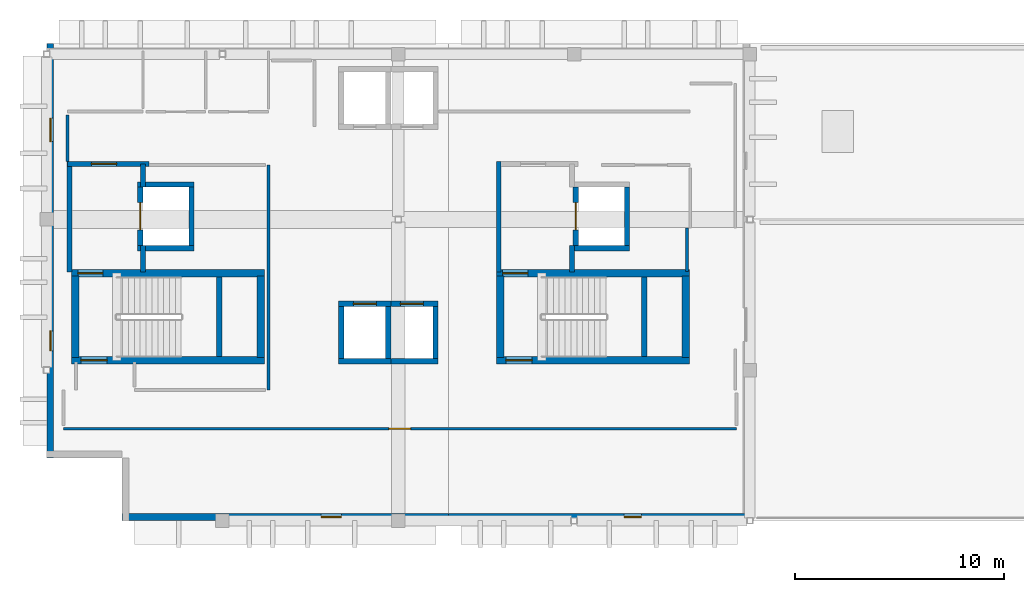
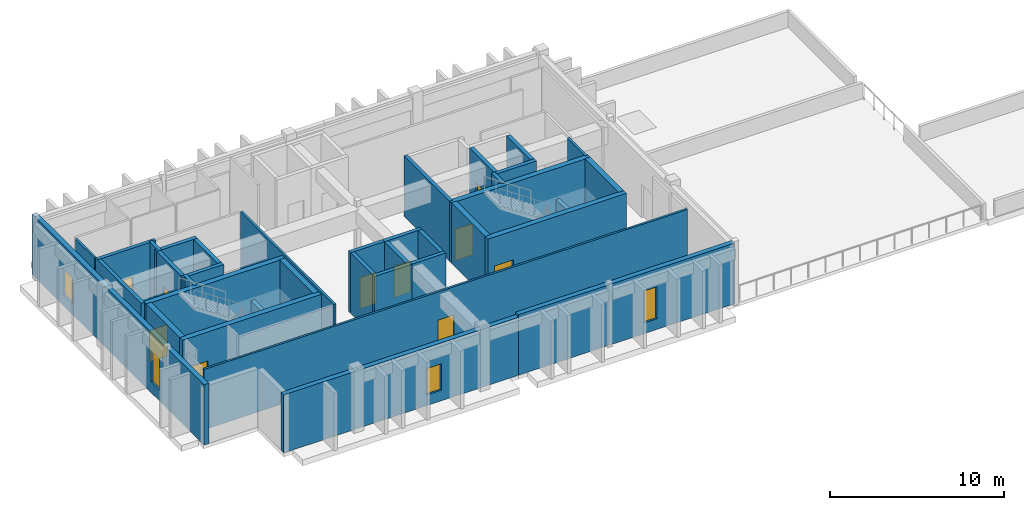
# One storey, part 3 of 7: 37 walls, 10 doors, 4 windows, 14 openings.
"""IFC4 building model written with IfcOpenShell, lengths in metres."""

from ifc_helpers import new_model, si_unit, direction, frame, frame_2d, origin, place, context, subcontext, project, spatial, rectangle, extrude, material, layer, layer_set, type_object, element, fill, save


model = new_model("IFC4")

# Units and contexts
model_context = context("Model", 3, precision=1e-05, world=origin(), true_north=direction((0.0, 1.0)))
body_context = subcontext(model_context, "Body", "Model", "MODEL_VIEW")
ifc_project = project(units=[si_unit("LENGTHUNIT", "METRE"), si_unit("AREAUNIT", "SQUARE_METRE"), si_unit("VOLUMEUNIT", "CUBIC_METRE"), si_unit("PLANEANGLEUNIT", "RADIAN"), si_unit("MASSUNIT", "GRAM", prefix="KILO")], contexts=[model_context])

# Site, building, storey
site_placement = place(None, origin())
site = spatial("IfcSite", under=ifc_project, at=site_placement, CompositionType="ELEMENT")
building_placement = place(site_placement, origin())
building = spatial("IfcBuilding", under=site, at=building_placement, Name="Quendrovan Civic Courthouse", CompositionType="ELEMENT")
storey_placement = place(building_placement, frame((0.0, 0.0, 40.199951171875)))
storey = spatial("IfcBuildingStorey", under=building, at=storey_placement, Name="L09", CompositionType="ELEMENT", Elevation=40.199951171875)

# Wall, opening, door
ifc_material_1 = material(Name="Acoustic gypsum stud partition")
ifc_layer_1 = layer(ifc_material_1, 0.139892578125, Name="Acoustic gypsum stud partition")
ifc_layer_set_1 = layer_set([ifc_layer_1], Name="Acoustic gypsum stud partition")
wall_type_1 = type_object("IfcWallType", Name="WL-CHM-140", PredefinedType="PARTITIONING", material=ifc_layer_set_1)
wall_1_placement = place(storey_placement, frame((34.39990234375, 92.0, 0.0), z_axis=(0.0, 0.0, 1.0), x_axis=(1.0, 0.0, 0.0)))
wall_1 = element("IfcWall", 1, at=wall_1_placement, inside=storey, type_object=wall_type_1, Name="L09 Collegial Judges' Chambers Partition 0903", PredefinedType="PARTITIONING", context=body_context, shape_type="SweptSolid", body=[
    extrude(rectangle(XDim=32.150146484375, YDim=0.139892578125, at=frame_2d((16.0751953125, 0.0))), origin(), (0.0, 0.0, 1.0), 4.239990234375),
])
opening_1_placement = place(wall_1_placement, frame((15.554931640625, 0.0, 0.0)))
opening_1 = element("IfcOpeningElement", 2, at=opening_1_placement, cuts=wall_1, Name="Opening D-L09-128", PredefinedType="OPENING", context=body_context, shape_type="SweptSolid", body=[
    extrude(rectangle(XDim=1.0400390625, YDim=2.260009765625, at=frame_2d((0.52001953125, 1.1298828125))), frame((0.0, 0.080078125, 0.0), z_axis=(0.0, -1.0, 0.0), x_axis=(1.0, 0.0, 0.0)), (0.0, 0.0, 1.0), 0.159912109375),
])
ifc_material_2 = material(Name="Solid Western Red Cedar timber door", Category="wood")
door_type_1 = type_object("IfcDoorType", Name="DR-CHM-1040", OperationType="NOTDEFINED", PredefinedType="DOOR", material=ifc_material_2)
door_1_placement = place(opening_1_placement, origin())
door_1 = element("IfcDoor", 3, at=door_1_placement, inside=storey, type_object=door_type_1, Name="L09 Collegial Judges' Chambers Door D-L09-128", OperationType="SINGLE_SWING_LEFT", OverallHeight=2.260009765625, OverallWidth=1.0400390625, PredefinedType="DOOR", context=body_context, shape_type="SweptSolid", body=[
    extrude(rectangle(XDim=1.0400390625, YDim=2.260009765625, at=frame_2d((0.52001953125, 1.1298828125))), frame((0.0, 0.02490234375, 0.0), z_axis=(0.0, -1.0, 0.0), x_axis=(1.0, 0.0, 0.0)), (0.0, 0.0, 1.0), 0.050048828125),
])
fill(opening_1, door_1)

# Walls
wall_2_placement = place(storey_placement, frame((44.199951171875, 104.60009765625, 0.0), z_axis=(0.0, 0.0, 1.0), x_axis=(0.0, -1.0, 0.0)))
element("IfcWall", 4, at=wall_2_placement, inside=storey, type_object=wall_type_1, Name="L09 Collegial Judges' Chambers Partition 0905", PredefinedType="PARTITIONING", context=body_context, shape_type="SweptSolid", body=[
    extrude(rectangle(XDim=10.75, YDim=0.139892578125, at=frame_2d((5.375, 0.0))), origin(), (0.0, 0.0, 1.0), 4.239990234375),
])
wall_3_placement = place(storey_placement, frame((34.60009765625, 107.0, 0.0), z_axis=(0.0, 0.0, 1.0), x_axis=(0.0, -1.0, 0.0)))
element("IfcWall", 5, at=wall_3_placement, inside=storey, type_object=wall_type_1, Name="L09 Collegial Judges' Chambers Partition 0918", PredefinedType="PARTITIONING", context=body_context, shape_type="SweptSolid", body=[
    extrude(rectangle(XDim=2.22998046875, YDim=0.139892578125, at=frame_2d((1.114990234375, 0.0))), origin(), (0.0, 0.0, 1.0), 4.239990234375),
])
wall_4_placement = place(storey_placement, frame((64.199951171875, 101.60009765625, 0.0), z_axis=(0.0, 0.0, 1.0), x_axis=(0.0, -1.0, 0.0)))
element("IfcWall", 6, at=wall_4_placement, inside=storey, type_object=wall_type_1, Name="L09 Judicial Conference Room Partition 0921", PredefinedType="PARTITIONING", context=body_context, shape_type="SweptSolid", body=[
    extrude(rectangle(XDim=2.080078125, YDim=0.139892578125, at=frame_2d((1.0400390625, 0.0))), origin(), (0.0, 0.0, 1.0), 4.239990234375),
])

# Wall, opening, door
ifc_material_3 = material(Name="Concrete C45/55", Category="concrete")
ifc_layer_2 = layer(ifc_material_3, 0.35009765625, Name="Concrete C45/55")
ifc_layer_set_2 = layer_set([ifc_layer_2], Name="Concrete C45/55")
wall_type_2 = type_object("IfcWallType", Name="WL-CORE-350", PredefinedType="SHEAR", material=ifc_layer_set_2)
wall_5_placement = place(storey_placement, frame((34.7900390625, 95.264892578125, 0.0), z_axis=(0.0, 0.0, 1.0), x_axis=(1.0, 0.0, 0.0)))
wall_5 = element("IfcWall", 7, at=wall_5_placement, inside=storey, type_object=wall_type_2, Name="L09 Core Shear Wall ST1-S", PredefinedType="SHEAR", context=body_context, shape_type="SweptSolid", body=[
    extrude(rectangle(XDim=9.219970703125, YDim=0.35009765625, at=frame_2d((4.60986328125, 0.0))), origin(), (0.0, 0.0, 1.0), 4.239990234375),
])
opening_2_placement = place(wall_5_placement, frame((0.449951171875, 0.0, 0.0)))
opening_2 = element("IfcOpeningElement", 8, at=opening_2_placement, cuts=wall_5, Name="Opening DS-ST1-L09", PredefinedType="OPENING", context=body_context, shape_type="SweptSolid", body=[
    extrude(rectangle(XDim=1.25, YDim=2.199951171875, at=frame_2d((0.625, 1.10009765625))), frame((0.0, 0.18505859375, 0.0), z_axis=(0.0, -1.0, 0.0), x_axis=(1.0, 0.0, 0.0)), (0.0, 0.0, 1.0), 0.3701171875),
])
ifc_material_4 = material(Name="Painted galvanized hollow-metal steel", Category="steel")
door_type_2 = type_object("IfcDoorType", Name="DR-STAIR-1250", OperationType="NOTDEFINED", PredefinedType="DOOR", material=ifc_material_4)
door_2_placement = place(opening_2_placement, origin())
door_2 = element("IfcDoor", 9, at=door_2_placement, inside=storey, type_object=door_type_2, Name="L09 Exit Stair ST1 Fire Door", OperationType="SINGLE_SWING_LEFT", OverallHeight=2.199951171875, OverallWidth=1.25, PredefinedType="DOOR", context=body_context, shape_type="SweptSolid", body=[
    extrude(rectangle(XDim=1.25, YDim=2.199951171875, at=frame_2d((0.625, 1.10009765625))), frame((0.0, 0.02490234375, 0.0), z_axis=(0.0, -1.0, 0.0), x_axis=(1.0, 0.0, 0.0)), (0.0, 0.0, 1.0), 0.050048828125),
])
fill(opening_2, door_2)

wall_6_placement = place(storey_placement, frame((44.010009765625, 99.43505859375, 0.0), z_axis=(0.0, 0.0, 1.0), x_axis=(-1.0, 0.0, 0.0)))
wall_6 = element("IfcWall", 10, at=wall_6_placement, inside=storey, type_object=wall_type_2, Name="L09 Core Shear Wall ST1-N", PredefinedType="SHEAR", context=body_context, shape_type="SweptSolid", body=[
    extrude(rectangle(XDim=9.219970703125, YDim=0.35009765625, at=frame_2d((4.60986328125, 0.0))), origin(), (0.0, 0.0, 1.0), 4.239990234375),
])
opening_3_placement = place(wall_6_placement, frame((7.719970703125, 0.0, 0.0)))
opening_3 = element("IfcOpeningElement", 11, at=opening_3_placement, cuts=wall_6, Name="Opening DFF-ST1-L09", PredefinedType="OPENING", context=body_context, shape_type="SweptSolid", body=[
    extrude(rectangle(XDim=1.199951171875, YDim=2.199951171875, at=frame_2d((0.60009765625, 1.10009765625))), frame((0.0, 0.18505859375, 0.0), z_axis=(0.0, -1.0, 0.0), x_axis=(1.0, 0.0, 0.0)), (0.0, 0.0, 1.0), 0.3701171875),
])
door_type_3 = type_object("IfcDoorType", Name="DR-FFLOB-1200", OperationType="NOTDEFINED", PredefinedType="DOOR", material=ifc_material_4)
door_3_placement = place(opening_3_placement, origin())
door_3 = element("IfcDoor", 12, at=door_3_placement, inside=storey, type_object=door_type_3, Name="L09 Firefighting Lobby FL1 Direct Stair ST1 Door", OperationType="SINGLE_SWING_RIGHT", OverallHeight=2.199951171875, OverallWidth=1.199951171875, PredefinedType="DOOR", context=body_context, shape_type="SweptSolid", body=[
    extrude(rectangle(XDim=1.199951171875, YDim=2.199951171875, at=frame_2d((0.60009765625, 1.10009765625))), frame((0.0, 0.02490234375, 0.0), z_axis=(0.0, -1.0, 0.0), x_axis=(1.0, 0.0, 0.0)), (0.0, 0.0, 1.0), 0.050048828125),
])
fill(opening_3, door_3)

# Walls
for number, where, z_axis, x_axis, name in (
    (13, (34.965087890625, 95.39990234375, 0.0), (0.0, 0.0, 1.0), (0.0, 1.0, 0.0), "L09 Core Shear Wall ST1-W"),
    (14, (43.8349609375, 99.300048828125, 0.0), (0.0, 0.0, 1.0), (0.0, -1.0, 0.0), "L09 Core Shear Wall ST1-E"),
):
    element("IfcWall", number, at=place(storey_placement, frame(where, z_axis=z_axis, x_axis=x_axis)), inside=storey, type_object=wall_type_2, Name=name, PredefinedType="SHEAR", context=body_context, shape_type="SweptSolid", body=[
        extrude(rectangle(XDim=3.900146484375, YDim=0.35009765625, at=frame_2d((1.9501953125, 0.0))), origin(), (0.0, 0.0, 1.0), 4.239990234375),
    ])

# Wall, opening, door
wall_7_placement = place(storey_placement, frame((55.090087890625, 95.264892578125, 0.0), z_axis=(0.0, 0.0, 1.0), x_axis=(1.0, 0.0, 0.0)))
wall_7 = element("IfcWall", 15, at=wall_7_placement, inside=storey, type_object=wall_type_2, Name="L09 Core Shear Wall ST2-S", PredefinedType="SHEAR", context=body_context, shape_type="SweptSolid", body=[
    extrude(rectangle(XDim=9.219970703125, YDim=0.35009765625, at=frame_2d((4.60986328125, 0.0))), origin(), (0.0, 0.0, 1.0), 4.239990234375),
])
opening_4_placement = place(wall_7_placement, frame((0.449951171875, 0.0, 0.0)))
opening_4 = element("IfcOpeningElement", 16, at=opening_4_placement, cuts=wall_7, Name="Opening DS-ST2-L09", PredefinedType="OPENING", context=body_context, shape_type="SweptSolid", body=[
    extrude(rectangle(XDim=1.25, YDim=2.199951171875, at=frame_2d((0.625, 1.10009765625))), frame((0.0, 0.18505859375, 0.0), z_axis=(0.0, -1.0, 0.0), x_axis=(1.0, 0.0, 0.0)), (0.0, 0.0, 1.0), 0.3701171875),
])
door_4_placement = place(opening_4_placement, origin())
door_4 = element("IfcDoor", 17, at=door_4_placement, inside=storey, type_object=door_type_2, Name="L09 Exit Stair ST2 Fire Door", OperationType="SINGLE_SWING_RIGHT", OverallHeight=2.199951171875, OverallWidth=1.25, PredefinedType="DOOR", context=body_context, shape_type="SweptSolid", body=[
    extrude(rectangle(XDim=1.25, YDim=2.199951171875, at=frame_2d((0.625, 1.10009765625))), frame((0.0, 0.02490234375, 0.0), z_axis=(0.0, -1.0, 0.0), x_axis=(1.0, 0.0, 0.0)), (0.0, 0.0, 1.0), 0.050048828125),
])
fill(opening_4, door_4)

wall_8_placement = place(storey_placement, frame((64.31005859375, 99.43505859375, 0.0), z_axis=(0.0, 0.0, 1.0), x_axis=(-1.0, 0.0, 0.0)))
wall_8 = element("IfcWall", 18, at=wall_8_placement, inside=storey, type_object=wall_type_2, Name="L09 Core Shear Wall ST2-N", PredefinedType="SHEAR", context=body_context, shape_type="SweptSolid", body=[
    extrude(rectangle(XDim=9.219970703125, YDim=0.35009765625, at=frame_2d((4.60986328125, 0.0))), origin(), (0.0, 0.0, 1.0), 4.239990234375),
])
opening_5_placement = place(wall_8_placement, frame((7.719970703125, 0.0, 0.0)))
opening_5 = element("IfcOpeningElement", 19, at=opening_5_placement, cuts=wall_8, Name="Opening DFF-ST2-L09", PredefinedType="OPENING", context=body_context, shape_type="SweptSolid", body=[
    extrude(rectangle(XDim=1.199951171875, YDim=2.199951171875, at=frame_2d((0.60009765625, 1.10009765625))), frame((0.0, 0.18505859375, 0.0), z_axis=(0.0, -1.0, 0.0), x_axis=(1.0, 0.0, 0.0)), (0.0, 0.0, 1.0), 0.3701171875),
])
door_5_placement = place(opening_5_placement, origin())
door_5 = element("IfcDoor", 20, at=door_5_placement, inside=storey, type_object=door_type_3, Name="L09 Firefighting Lobby FL2 Direct Stair ST2 Door", OperationType="SINGLE_SWING_RIGHT", OverallHeight=2.199951171875, OverallWidth=1.199951171875, PredefinedType="DOOR", context=body_context, shape_type="SweptSolid", body=[
    extrude(rectangle(XDim=1.199951171875, YDim=2.199951171875, at=frame_2d((0.60009765625, 1.10009765625))), frame((0.0, 0.02490234375, 0.0), z_axis=(0.0, -1.0, 0.0), x_axis=(1.0, 0.0, 0.0)), (0.0, 0.0, 1.0), 0.050048828125),
])
fill(opening_5, door_5)

# Walls
for number, where, z_axis, x_axis, name in (
    (21, (55.264892578125, 95.39990234375, 0.0), (0.0, 0.0, 1.0), (0.0, 1.0, 0.0), "L09 Core Shear Wall ST2-W"),
    (22, (64.135009765625, 99.300048828125, 0.0), (0.0, 0.0, 1.0), (0.0, -1.0, 0.0), "L09 Core Shear Wall ST2-E"),
):
    element("IfcWall", number, at=place(storey_placement, frame(where, z_axis=z_axis, x_axis=x_axis)), inside=storey, type_object=wall_type_2, Name=name, PredefinedType="SHEAR", context=body_context, shape_type="SweptSolid", body=[
        extrude(rectangle(XDim=3.900146484375, YDim=0.35009765625, at=frame_2d((1.9501953125, 0.0))), origin(), (0.0, 0.0, 1.0), 4.239990234375),
    ])

# Wall, opening, window
ifc_material_5 = material(Name="Precast concrete C45/55", Category="concrete")
ifc_layer_3 = layer(ifc_material_5, 0.320068359375, Name="Precast concrete C45/55")
ifc_layer_set_3 = layer_set([ifc_layer_3], Name="Precast concrete C45/55")
wall_type_3 = type_object("IfcWallType", Name="WL-EXT-PC320", PredefinedType="SOLIDWALL", material=ifc_layer_set_3)
wall_9_placement = place(storey_placement, frame((67.199951171875, 87.780029296875, 0.0), z_axis=(0.0, 0.0, 1.0), x_axis=(-1.0, 0.0, 0.0)))
wall_9 = element("IfcWall", 23, at=wall_9_placement, inside=storey, type_object=wall_type_3, Name="L09 Exterior Precast Concrete Wall 525", PredefinedType="SOLIDWALL", context=body_context, shape_type="SweptSolid", body=[
    extrude(rectangle(XDim=14.39990234375, YDim=0.320068359375, at=frame_2d((7.199951171875, 0.0))), origin(), (0.0, 0.0, 1.0), 4.260009765625),
])
opening_6_placement = place(wall_9_placement, frame((5.18994140625, 0.0, 0.75)))
opening_6 = element("IfcOpeningElement", 24, at=opening_6_placement, cuts=wall_9, Name="Opening W07", PredefinedType="OPENING", context=body_context, shape_type="SweptSolid", body=[
    extrude(rectangle(XDim=0.820068359375, YDim=2.25, at=frame_2d((0.41015625, 1.125))), frame((0.0, 0.169921875, 0.0), z_axis=(0.0, -1.0, 0.0), x_axis=(1.0, 0.0, 0.0)), (0.0, 0.0, 1.0), 0.340087890625),
])
ifc_material_6 = material(Name="Laminated hurricane-impact low-E glass", Category="glass")
window_type_1 = type_object("IfcWindowType", Name="WIN-SLT-07", PartitioningType="SINGLE_PANEL", PredefinedType="WINDOW", material=ifc_material_6)
window_1_placement = place(opening_6_placement, origin())
window_1 = element("IfcWindow", 25, at=window_1_placement, inside=storey, type_object=window_type_1, Name="L09 Courtroom Shaded Slot Window 0061", OverallHeight=2.25, OverallWidth=0.820068359375, PartitioningType="SINGLE_PANEL", PredefinedType="WINDOW", context=body_context, shape_type="SweptSolid", body=[
    extrude(rectangle(XDim=0.820068359375, YDim=2.25, at=frame_2d((0.41015625, 1.125))), frame((0.0, 0.030029296875, 0.0), z_axis=(0.0, -1.0, 0.0), x_axis=(1.0, 0.0, 0.0)), (0.0, 0.0, 1.0), 0.06005859375),
])
fill(opening_6, window_1)

wall_10_placement = place(storey_placement, frame((52.800048828125, 87.780029296875, 0.0), z_axis=(0.0, 0.0, 1.0), x_axis=(-1.0, 0.0, 0.0)))
wall_10 = element("IfcWall", 26, at=wall_10_placement, inside=storey, type_object=wall_type_3, Name="L09 Exterior Precast Concrete Wall 526", PredefinedType="SOLIDWALL", context=body_context, shape_type="SweptSolid", body=[
    extrude(rectangle(XDim=15.60009765625, YDim=0.320068359375, at=frame_2d((7.800048828125, 0.0))), origin(), (0.0, 0.0, 1.0), 4.080078125),
])
opening_7_placement = place(wall_10_placement, frame((5.1201171875, 0.0, 0.75)))
opening_7 = element("IfcOpeningElement", 27, at=opening_7_placement, cuts=wall_10, Name="Opening W11", PredefinedType="OPENING", context=body_context, shape_type="SweptSolid", body=[
    extrude(rectangle(XDim=0.9599609375, YDim=1.85009765625, at=frame_2d((0.47998046875, 0.925048828125))), frame((0.0, 0.169921875, 0.0), z_axis=(0.0, -1.0, 0.0), x_axis=(1.0, 0.0, 0.0)), (0.0, 0.0, 1.0), 0.340087890625),
])
window_type_2 = type_object("IfcWindowType", Name="WIN-SLT-11", PartitioningType="SINGLE_PANEL", PredefinedType="WINDOW", material=ifc_material_6)
window_2_placement = place(opening_7_placement, origin())
window_2 = element("IfcWindow", 28, at=window_2_placement, inside=storey, type_object=window_type_2, Name="L09 Courtroom Shaded Slot Window 0062", OverallHeight=1.85009765625, OverallWidth=0.9599609375, PartitioningType="SINGLE_PANEL", PredefinedType="WINDOW", context=body_context, shape_type="SweptSolid", body=[
    extrude(rectangle(XDim=0.9599609375, YDim=1.85009765625, at=frame_2d((0.47998046875, 0.925048828125))), frame((0.0, 0.030029296875, 0.0), z_axis=(0.0, -1.0, 0.0), x_axis=(1.0, 0.0, 0.0)), (0.0, 0.0, 1.0), 0.06005859375),
])
fill(opening_7, window_2)

# Wall, openings, windows
wall_11_placement = place(storey_placement, frame((33.780029296875, 90.60009765625, 0.0), z_axis=(0.0, 0.0, 1.0), x_axis=(0.0, 1.0, 0.0)))
wall_11 = element("IfcWall", 29, at=wall_11_placement, inside=storey, type_object=wall_type_3, Name="L09 Exterior Precast Concrete Wall 529", PredefinedType="SOLIDWALL", context=body_context, shape_type="SweptSolid", body=[
    extrude(rectangle(XDim=19.7998046875, YDim=0.320068359375, at=frame_2d((9.89990234375, 0.0))), origin(), (0.0, 0.0, 1.0), 4.239990234375),
])
opening_8_placement = place(wall_11_placement, frame((5.1201171875, 0.0, 0.75)))
opening_8 = element("IfcOpeningElement", 30, at=opening_8_placement, cuts=wall_11, Name="Opening W12", PredefinedType="OPENING", context=body_context, shape_type="SweptSolid", body=[
    extrude(rectangle(XDim=0.9599609375, YDim=2.25, at=frame_2d((0.47998046875, 1.125))), frame((0.0, 0.169921875, 0.0), z_axis=(0.0, -1.0, 0.0), x_axis=(1.0, 0.0, 0.0)), (0.0, 0.0, 1.0), 0.340087890625),
])
opening_9_placement = place(wall_11_placement, frame((15.1201171875, 0.0, 0.75)))
opening_9 = element("IfcOpeningElement", 31, at=opening_9_placement, cuts=wall_11, Name="Opening W16", PredefinedType="OPENING", context=body_context, shape_type="SweptSolid", body=[
    extrude(rectangle(XDim=1.1201171875, YDim=1.85009765625, at=frame_2d((0.56005859375, 0.925048828125))), frame((0.0, 0.169921875, 0.0), z_axis=(0.0, -1.0, 0.0), x_axis=(1.0, 0.0, 0.0)), (0.0, 0.0, 1.0), 0.340087890625),
])
window_type_3 = type_object("IfcWindowType", Name="WIN-SLT-12", PartitioningType="SINGLE_PANEL", PredefinedType="WINDOW", material=ifc_material_6)
window_3_placement = place(opening_8_placement, origin())
window_3 = element("IfcWindow", 32, at=window_3_placement, inside=storey, type_object=window_type_3, Name="L09 Courtroom Shaded Slot Window 0063", OverallHeight=2.25, OverallWidth=0.9599609375, PartitioningType="SINGLE_PANEL", PredefinedType="WINDOW", context=body_context, shape_type="SweptSolid", body=[
    extrude(rectangle(XDim=0.9599609375, YDim=2.25, at=frame_2d((0.47998046875, 1.125))), frame((0.0, 0.030029296875, 0.0), z_axis=(0.0, -1.0, 0.0), x_axis=(1.0, 0.0, 0.0)), (0.0, 0.0, 1.0), 0.06005859375),
])
fill(opening_8, window_3)
window_type_4 = type_object("IfcWindowType", Name="WIN-SLT-16", PartitioningType="SINGLE_PANEL", PredefinedType="WINDOW", material=ifc_material_6)
window_4_placement = place(opening_9_placement, origin())
window_4 = element("IfcWindow", 33, at=window_4_placement, inside=storey, type_object=window_type_4, Name="L09 Courtroom Shaded Slot Window 0064", OverallHeight=1.85009765625, OverallWidth=1.1201171875, PartitioningType="SINGLE_PANEL", PredefinedType="WINDOW", context=body_context, shape_type="SweptSolid", body=[
    extrude(rectangle(XDim=1.1201171875, YDim=1.85009765625, at=frame_2d((0.56005859375, 0.925048828125))), frame((0.0, 0.030029296875, 0.0), z_axis=(0.0, -1.0, 0.0), x_axis=(1.0, 0.0, 0.0)), (0.0, 0.0, 1.0), 0.06005859375),
])
fill(opening_9, window_4)

# Wall, opening, door
ifc_material_7 = material(Name="Concrete C40/50", Category="concrete")
ifc_layer_4 = layer(ifc_material_7, 0.22998046875, Name="Concrete C40/50")
ifc_layer_set_4 = layer_set([ifc_layer_4], Name="Concrete C40/50")
wall_type_4 = type_object("IfcWallType", Name="WL-FFLOB-230", PredefinedType="PARTITIONING", material=ifc_layer_set_4)
wall_12_placement = place(storey_placement, frame((34.590087890625, 104.64990234375, 0.0), z_axis=(0.0, 0.0, 1.0), x_axis=(1.0, 0.0, 0.0)))
wall_12 = element("IfcWall", 34, at=wall_12_placement, inside=storey, type_object=wall_type_4, Name="L09 Firefighting Lift Lobby FL1 Wall N", PredefinedType="PARTITIONING", context=body_context, shape_type="SweptSolid", body=[
    extrude(rectangle(XDim=3.889892578125, YDim=0.22998046875, at=frame_2d((1.94482421875, 0.0))), origin(), (0.0, 0.0, 1.0), 4.239990234375),
])
opening_10_placement = place(wall_12_placement, frame((1.14990234375, 0.0, 0.0)))
opening_10 = element("IfcOpeningElement", 35, at=opening_10_placement, cuts=wall_12, Name="Opening DF-FL1-L09N", PredefinedType="OPENING", context=body_context, shape_type="SweptSolid", body=[
    extrude(rectangle(XDim=1.199951171875, YDim=2.199951171875, at=frame_2d((0.60009765625, 1.10009765625))), frame((0.0, 0.125, 0.0), z_axis=(0.0, -1.0, 0.0), x_axis=(1.0, 0.0, 0.0)), (0.0, 0.0, 1.0), 0.25),
])
door_6_placement = place(opening_10_placement, origin())
door_6 = element("IfcDoor", 36, at=door_6_placement, inside=storey, type_object=door_type_3, Name="L09 Firefighting Lobby FL1 Fire Door N", OperationType="SINGLE_SWING_LEFT", OverallHeight=2.199951171875, OverallWidth=1.199951171875, PredefinedType="DOOR", context=body_context, shape_type="SweptSolid", body=[
    extrude(rectangle(XDim=1.199951171875, YDim=2.199951171875, at=frame_2d((0.60009765625, 1.10009765625))), frame((0.0, 0.02490234375, 0.0), z_axis=(0.0, -1.0, 0.0), x_axis=(1.0, 0.0, 0.0)), (0.0, 0.0, 1.0), 0.050048828125),
])
fill(opening_10, door_6)

# Walls
wall_13_placement = place(storey_placement, frame((34.699951171875, 99.5, 0.0), z_axis=(0.0, 0.0, 1.0), x_axis=(0.0, 1.0, 0.0)))
element("IfcWall", 37, at=wall_13_placement, inside=storey, type_object=wall_type_4, Name="L09 Firefighting Lift Lobby FL1 Wall W", PredefinedType="PARTITIONING", context=body_context, shape_type="SweptSolid", body=[
    extrude(rectangle(XDim=5.260009765625, YDim=0.22998046875, at=frame_2d((2.6298828125, 0.0))), origin(), (0.0, 0.0, 1.0), 4.239990234375),
])
wall_14_placement = place(storey_placement, frame((38.199951171875, 104.64990234375, 0.0), z_axis=(0.0, 0.0, 1.0), x_axis=(0.0, -1.0, 0.0)))
element("IfcWall", 38, at=wall_14_placement, inside=storey, type_object=wall_type_4, Name="L09 Firefighting Lift Lobby FL1 Wall EN", PredefinedType="PARTITIONING", context=body_context, shape_type="SweptSolid", body=[
    extrude(rectangle(XDim=1.099853515625, YDim=0.22998046875, at=frame_2d((0.5498046875, 0.0))), origin(), (0.0, 0.0, 1.0), 4.239990234375),
])
wall_15_placement = place(storey_placement, frame((38.199951171875, 100.75, 0.0), z_axis=(0.0, 0.0, 1.0), x_axis=(0.0, -1.0, 0.0)))
element("IfcWall", 39, at=wall_15_placement, inside=storey, type_object=wall_type_4, Name="L09 Firefighting Lift Lobby FL1 Wall ES", PredefinedType="PARTITIONING", context=body_context, shape_type="SweptSolid", body=[
    extrude(rectangle(XDim=1.25, YDim=0.22998046875, at=frame_2d((0.625, 0.0))), origin(), (0.0, 0.0, 1.0), 4.239990234375),
])
wall_16_placement = place(storey_placement, frame((55.199951171875, 99.5, 0.0), z_axis=(0.0, 0.0, 1.0), x_axis=(0.0, 1.0, 0.0)))
element("IfcWall", 40, at=wall_16_placement, inside=storey, type_object=wall_type_4, Name="L09 Firefighting Lift Lobby FL2 Wall W", PredefinedType="PARTITIONING", context=body_context, shape_type="SweptSolid", body=[
    extrude(rectangle(XDim=5.260009765625, YDim=0.22998046875, at=frame_2d((2.6298828125, 0.0))), origin(), (0.0, 0.0, 1.0), 4.239990234375),
])
wall_17_placement = place(storey_placement, frame((58.699951171875, 100.75, 0.0), z_axis=(0.0, 0.0, 1.0), x_axis=(0.0, -1.0, 0.0)))
element("IfcWall", 41, at=wall_17_placement, inside=storey, type_object=wall_type_4, Name="L09 Firefighting Lift Lobby FL2 Wall ES", PredefinedType="PARTITIONING", context=body_context, shape_type="SweptSolid", body=[
    extrude(rectangle(XDim=1.25, YDim=0.22998046875, at=frame_2d((0.625, 0.0))), origin(), (0.0, 0.0, 1.0), 4.239990234375),
])
ifc_layer_5 = layer(ifc_material_3, 0.25, Name="Concrete C45/55")
ifc_layer_set_5 = layer_set([ifc_layer_5], Name="Concrete C45/55")
wall_type_5 = type_object("IfcWallType", Name="WL-SHAFT-250", PredefinedType="SHEAR", material=ifc_layer_set_5)
for number, where, z_axis, x_axis, name in (
    (42, (41.85009765625, 95.449951171875, 0.0), (0.0, 0.0, 1.0), (0.0, 1.0, 0.0), "L09 Stair ST1 Mid-Landing Bearing Wall"),
    (43, (62.14990234375, 95.449951171875, 0.0), (0.0, 0.0, 1.0), (0.0, 1.0, 0.0), "L09 Stair ST2 Mid-Landing Bearing Wall"),
):
    element("IfcWall", number, at=place(storey_placement, frame(where, z_axis=z_axis, x_axis=x_axis)), inside=storey, type_object=wall_type_5, Name=name, PredefinedType="SHEAR", context=body_context, shape_type="SweptSolid", body=[
        extrude(rectangle(XDim=3.800048828125, YDim=0.25, at=frame_2d((1.89990234375, 0.0))), origin(), (0.0, 0.0, 1.0), 2.070068359375),
    ])
wall_18_placement = place(storey_placement, frame((47.550048828125, 95.22509765625, 0.0), z_axis=(0.0, 0.0, 1.0), x_axis=(1.0, 0.0, 0.0)))
element("IfcWall", 44, at=wall_18_placement, inside=storey, type_object=wall_type_5, Name="L09 Lift Hoistway Wall PL3 -Y", PredefinedType="SHEAR", context=body_context, shape_type="SweptSolid", body=[
    extrude(rectangle(XDim=2.5, YDim=0.25, at=frame_2d((1.25, 0.0))), origin(), (0.0, 0.0, 1.0), 4.239990234375),
])

# Wall, opening, door
wall_19_placement = place(storey_placement, frame((50.050048828125, 97.97509765625, 0.0), z_axis=(0.0, 0.0, 1.0), x_axis=(-1.0, 0.0, 0.0)))
wall_19 = element("IfcWall", 45, at=wall_19_placement, inside=storey, type_object=wall_type_5, Name="L09 Lift Hoistway Wall PL3 +Y", PredefinedType="SHEAR", context=body_context, shape_type="SweptSolid", body=[
    extrude(rectangle(XDim=2.5, YDim=0.25, at=frame_2d((1.25, 0.0))), origin(), (0.0, 0.0, 1.0), 4.239990234375),
])
opening_11_placement = place(wall_19_placement, frame((0.699951171875, 0.0, 0.0)))
opening_11 = element("IfcOpeningElement", 46, at=opening_11_placement, cuts=wall_19, Name="Opening LD-PL3-L09", PredefinedType="OPENING", context=body_context, shape_type="SweptSolid", body=[
    extrude(rectangle(XDim=1.10009765625, YDim=2.199951171875, at=frame_2d((0.550048828125, 1.10009765625))), frame((0.0, 0.135009765625, 0.0), z_axis=(0.0, -1.0, 0.0), x_axis=(1.0, 0.0, 0.0)), (0.0, 0.0, 1.0), 0.27001953125),
])
ifc_material_8 = material(Name="Brushed bronze-anodised stainless steel", Category="steel")
door_type_4 = type_object("IfcDoorType", Name="DR-LIFT-LD-PL", OperationType="NOTDEFINED", PredefinedType="DOOR", material=ifc_material_8)
door_7_placement = place(opening_11_placement, origin())
door_7 = element("IfcDoor", 47, at=door_7_placement, inside=storey, type_object=door_type_4, Name="L09 Lift PL3 Sliding Landing Door", OperationType="SLIDING_TO_RIGHT", OverallHeight=2.199951171875, OverallWidth=1.10009765625, PredefinedType="DOOR", context=body_context, shape_type="SweptSolid", body=[
    extrude(rectangle(XDim=1.10009765625, YDim=2.199951171875, at=frame_2d((0.550048828125, 1.10009765625))), frame((0.0, 0.02490234375, 0.0), z_axis=(0.0, -1.0, 0.0), x_axis=(1.0, 0.0, 0.0)), (0.0, 0.0, 1.0), 0.050048828125),
])
fill(opening_11, door_7)

# Walls
for number, where, z_axis, x_axis, name in (
    (48, (47.675048828125, 95.35009765625, 0.0), (0.0, 0.0, 1.0), (0.0, 1.0, 0.0), "L09 Lift Hoistway Wall PL3 -X"),
    (49, (49.925048828125, 97.85009765625, 0.0), (0.0, 0.0, 1.0), (0.0, -1.0, 0.0), "L09 Lift Hoistway Wall PL3 +X"),
    (50, (49.800048828125, 95.22509765625, 0.0), (0.0, 0.0, 1.0), (1.0, 0.0, 0.0), "L09 Lift Hoistway Wall PL4 -Y"),
):
    element("IfcWall", number, at=place(storey_placement, frame(where, z_axis=z_axis, x_axis=x_axis)), inside=storey, type_object=wall_type_5, Name=name, PredefinedType="SHEAR", context=body_context, shape_type="SweptSolid", body=[
        extrude(rectangle(XDim=2.5, YDim=0.25, at=frame_2d((1.25, 0.0))), origin(), (0.0, 0.0, 1.0), 4.239990234375),
    ])

# Wall, opening, door
wall_20_placement = place(storey_placement, frame((52.300048828125, 97.97509765625, 0.0), z_axis=(0.0, 0.0, 1.0), x_axis=(-1.0, 0.0, 0.0)))
wall_20 = element("IfcWall", 51, at=wall_20_placement, inside=storey, type_object=wall_type_5, Name="L09 Lift Hoistway Wall PL4 +Y", PredefinedType="SHEAR", context=body_context, shape_type="SweptSolid", body=[
    extrude(rectangle(XDim=2.5, YDim=0.25, at=frame_2d((1.25, 0.0))), origin(), (0.0, 0.0, 1.0), 4.239990234375),
])
opening_12_placement = place(wall_20_placement, frame((0.699951171875, 0.0, 0.0)))
opening_12 = element("IfcOpeningElement", 52, at=opening_12_placement, cuts=wall_20, Name="Opening LD-PL4-L09", PredefinedType="OPENING", context=body_context, shape_type="SweptSolid", body=[
    extrude(rectangle(XDim=1.10009765625, YDim=2.199951171875, at=frame_2d((0.550048828125, 1.10009765625))), frame((0.0, 0.135009765625, 0.0), z_axis=(0.0, -1.0, 0.0), x_axis=(1.0, 0.0, 0.0)), (0.0, 0.0, 1.0), 0.27001953125),
])
door_8_placement = place(opening_12_placement, origin())
door_8 = element("IfcDoor", 53, at=door_8_placement, inside=storey, type_object=door_type_4, Name="L09 Lift PL4 Sliding Landing Door", OperationType="SLIDING_TO_RIGHT", OverallHeight=2.199951171875, OverallWidth=1.10009765625, PredefinedType="DOOR", context=body_context, shape_type="SweptSolid", body=[
    extrude(rectangle(XDim=1.10009765625, YDim=2.199951171875, at=frame_2d((0.550048828125, 1.10009765625))), frame((0.0, 0.02490234375, 0.0), z_axis=(0.0, -1.0, 0.0), x_axis=(1.0, 0.0, 0.0)), (0.0, 0.0, 1.0), 0.050048828125),
])
fill(opening_12, door_8)

# Walls
wall_21_placement = place(storey_placement, frame((52.175048828125, 97.85009765625, 0.0), z_axis=(0.0, 0.0, 1.0), x_axis=(0.0, -1.0, 0.0)))
element("IfcWall", 54, at=wall_21_placement, inside=storey, type_object=wall_type_5, Name="L09 Lift Hoistway Wall PL4 +X", PredefinedType="SHEAR", context=body_context, shape_type="SweptSolid", body=[
    extrude(rectangle(XDim=2.5, YDim=0.25, at=frame_2d((1.25, 0.0))), origin(), (0.0, 0.0, 1.0), 4.239990234375),
])
for number, where, z_axis, x_axis, name in (
    (55, (37.949951171875, 100.625, 0.0), (0.0, 0.0, 1.0), (1.0, 0.0, 0.0), "L09 Lift Hoistway Wall FL1 -Y"),
    (56, (40.64990234375, 103.675048828125, 0.0), (0.0, 0.0, 1.0), (-1.0, 0.0, 0.0), "L09 Lift Hoistway Wall FL1 +Y"),
):
    element("IfcWall", number, at=place(storey_placement, frame(where, z_axis=z_axis, x_axis=x_axis)), inside=storey, type_object=wall_type_5, Name=name, PredefinedType="SHEAR", context=body_context, shape_type="SweptSolid", body=[
        extrude(rectangle(XDim=2.699951171875, YDim=0.25, at=frame_2d((1.35009765625, 0.0))), origin(), (0.0, 0.0, 1.0), 4.239990234375),
    ])

# Wall, opening, door
wall_22_placement = place(storey_placement, frame((38.074951171875, 100.75, 0.0), z_axis=(0.0, 0.0, 1.0), x_axis=(0.0, 1.0, 0.0)))
wall_22 = element("IfcWall", 57, at=wall_22_placement, inside=storey, type_object=wall_type_5, Name="L09 Lift Hoistway Wall FL1 -X", PredefinedType="SHEAR", context=body_context, shape_type="SweptSolid", body=[
    extrude(rectangle(XDim=2.800048828125, YDim=0.25, at=frame_2d((1.39990234375, 0.0))), origin(), (0.0, 0.0, 1.0), 4.239990234375),
])
opening_13_placement = place(wall_22_placement, frame((0.75, 0.0, 0.0)))
opening_13 = element("IfcOpeningElement", 58, at=opening_13_placement, cuts=wall_22, Name="Opening LD-FL1-L09", PredefinedType="OPENING", context=body_context, shape_type="SweptSolid", body=[
    extrude(rectangle(XDim=1.300048828125, YDim=2.25, at=frame_2d((0.64990234375, 1.125))), frame((0.0, 0.135009765625, 0.0), z_axis=(0.0, -1.0, 0.0), x_axis=(1.0, 0.0, 0.0)), (0.0, 0.0, 1.0), 0.27001953125),
])
ifc_material_9 = material(Name="Smoke-tight fire-service stainless steel", Category="steel")
door_type_5 = type_object("IfcDoorType", Name="DR-LIFT-LD-FL", OperationType="NOTDEFINED", PredefinedType="DOOR", material=ifc_material_9)
door_9_placement = place(opening_13_placement, origin())
door_9 = element("IfcDoor", 59, at=door_9_placement, inside=storey, type_object=door_type_5, Name="L09 Lift FL1 Sliding Landing Door", OperationType="SLIDING_TO_RIGHT", OverallHeight=2.25, OverallWidth=1.300048828125, PredefinedType="DOOR", context=body_context, shape_type="SweptSolid", body=[
    extrude(rectangle(XDim=1.300048828125, YDim=2.25, at=frame_2d((0.64990234375, 1.125))), frame((0.0, 0.02490234375, 0.0), z_axis=(0.0, -1.0, 0.0), x_axis=(1.0, 0.0, 0.0)), (0.0, 0.0, 1.0), 0.050048828125),
])
fill(opening_13, door_9)

# Walls
wall_23_placement = place(storey_placement, frame((40.52490234375, 103.550048828125, 0.0), z_axis=(0.0, 0.0, 1.0), x_axis=(0.0, -1.0, 0.0)))
element("IfcWall", 60, at=wall_23_placement, inside=storey, type_object=wall_type_5, Name="L09 Lift Hoistway Wall FL1 +X", PredefinedType="SHEAR", context=body_context, shape_type="SweptSolid", body=[
    extrude(rectangle(XDim=2.800048828125, YDim=0.25, at=frame_2d((1.39990234375, 0.0))), origin(), (0.0, 0.0, 1.0), 4.239990234375),
])
wall_24_placement = place(storey_placement, frame((58.75, 100.625, 0.0), z_axis=(0.0, 0.0, 1.0), x_axis=(1.0, 0.0, 0.0)))
element("IfcWall", 61, at=wall_24_placement, inside=storey, type_object=wall_type_5, Name="L09 Lift Hoistway Wall FL2 -Y", PredefinedType="SHEAR", context=body_context, shape_type="SweptSolid", body=[
    extrude(rectangle(XDim=2.699951171875, YDim=0.25, at=frame_2d((1.35009765625, 0.0))), origin(), (0.0, 0.0, 1.0), 4.239990234375),
])

# Wall, opening, door
wall_25_placement = place(storey_placement, frame((58.875, 100.75, 0.0), z_axis=(0.0, 0.0, 1.0), x_axis=(0.0, 1.0, 0.0)))
wall_25 = element("IfcWall", 62, at=wall_25_placement, inside=storey, type_object=wall_type_5, Name="L09 Lift Hoistway Wall FL2 -X", PredefinedType="SHEAR", context=body_context, shape_type="SweptSolid", body=[
    extrude(rectangle(XDim=2.800048828125, YDim=0.25, at=frame_2d((1.39990234375, 0.0))), origin(), (0.0, 0.0, 1.0), 4.239990234375),
])
opening_14_placement = place(wall_25_placement, frame((0.75, 0.0, 0.0)))
opening_14 = element("IfcOpeningElement", 63, at=opening_14_placement, cuts=wall_25, Name="Opening LD-FL2-L09", PredefinedType="OPENING", context=body_context, shape_type="SweptSolid", body=[
    extrude(rectangle(XDim=1.300048828125, YDim=2.25, at=frame_2d((0.64990234375, 1.125))), frame((0.0, 0.135009765625, 0.0), z_axis=(0.0, -1.0, 0.0), x_axis=(1.0, 0.0, 0.0)), (0.0, 0.0, 1.0), 0.27001953125),
])
door_10_placement = place(opening_14_placement, origin())
door_10 = element("IfcDoor", 64, at=door_10_placement, inside=storey, type_object=door_type_5, Name="L09 Lift FL2 Sliding Landing Door", OperationType="SLIDING_TO_RIGHT", OverallHeight=2.25, OverallWidth=1.300048828125, PredefinedType="DOOR", context=body_context, shape_type="SweptSolid", body=[
    extrude(rectangle(XDim=1.300048828125, YDim=2.25, at=frame_2d((0.64990234375, 1.125))), frame((0.0, 0.02490234375, 0.0), z_axis=(0.0, -1.0, 0.0), x_axis=(1.0, 0.0, 0.0)), (0.0, 0.0, 1.0), 0.050048828125),
])
fill(opening_14, door_10)

# Wall
wall_26_placement = place(storey_placement, frame((61.324951171875, 103.550048828125, 0.0), z_axis=(0.0, 0.0, 1.0), x_axis=(0.0, -1.0, 0.0)))
element("IfcWall", 65, at=wall_26_placement, inside=storey, type_object=wall_type_5, Name="L09 Lift Hoistway Wall FL2 +X", PredefinedType="SHEAR", context=body_context, shape_type="SweptSolid", body=[
    extrude(rectangle(XDim=2.800048828125, YDim=0.25, at=frame_2d((1.39990234375, 0.0))), origin(), (0.0, 0.0, 1.0), 4.239990234375),
])

save(model, "model.ifc")
